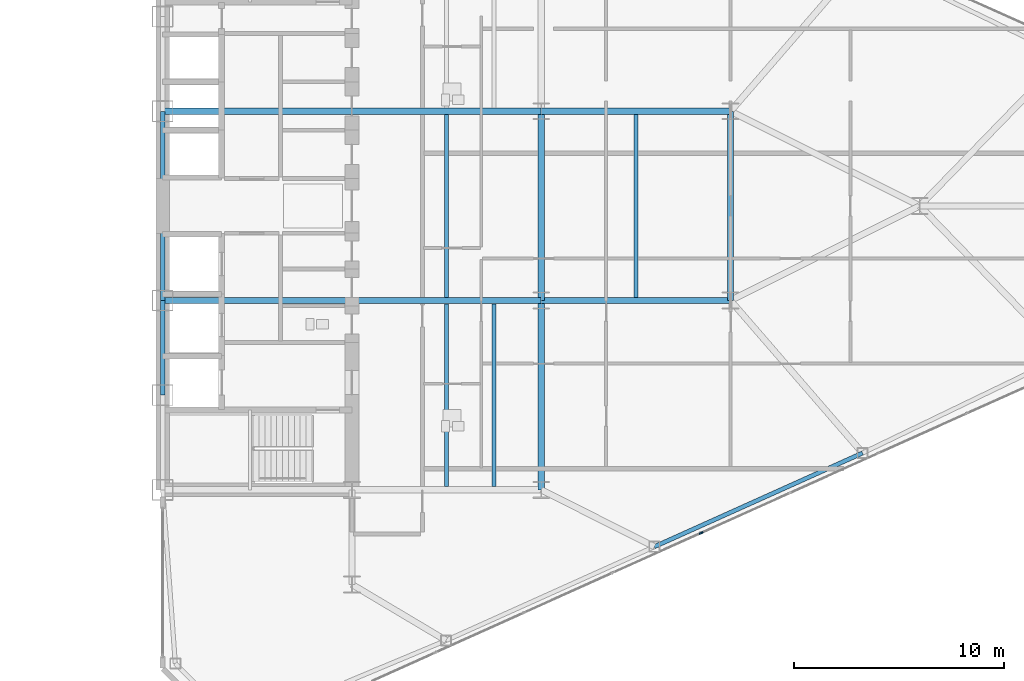
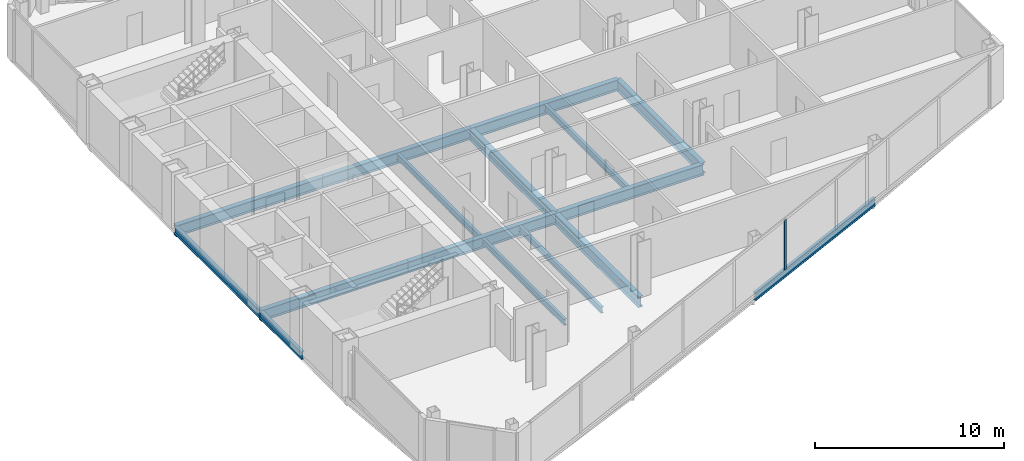
# One storey, part 12 of 27: 16 beams, 1 member, 1 element without a shape of its own.
"""IFC4 building model written with IfcOpenShell, lengths in metres."""

from ifc_helpers import new_model, si_unit, direction, frame, origin, origin_2d, place, context, subcontext, project, spatial, rectangle, i_section, extrude, source, transform, mapped, material, layer, layer_set, material_profile, profile_set, type_object, type_shapes, element, aggregate, save


model = new_model("IFC4")

# Units and contexts
model_context = context("Model", 3, precision=1e-05, world=origin(), true_north=direction((0.0, 1.0)))
body_context = subcontext(model_context, "Body", "Model", "MODEL_VIEW")
ifc_project = project(units=[si_unit("LENGTHUNIT", "METRE"), si_unit("AREAUNIT", "SQUARE_METRE"), si_unit("VOLUMEUNIT", "CUBIC_METRE"), si_unit("PLANEANGLEUNIT", "RADIAN"), si_unit("MASSUNIT", "GRAM", prefix="KILO")], contexts=[model_context])

# Site, building, storey
site_placement = place(None, origin())
site = spatial("IfcSite", under=ifc_project, at=site_placement, CompositionType="ELEMENT")
building_placement = place(site_placement, origin())
building = spatial("IfcBuilding", under=site, at=building_placement, Name="Seokmaru Belvedere", CompositionType="ELEMENT")
storey_placement = place(building_placement, frame((0.0, 0.0, 99.60009765625)))
storey = spatial("IfcBuildingStorey", under=building, at=storey_placement, Name="L26", CompositionType="ELEMENT", Elevation=99.60009765625)

# Beams
ifc_material_1 = material(Name="Steel SM355 (355 MPa)", Category="steel")
ifc_material_profile_1 = material_profile(ifc_material_1, i_section(OverallWidth=0.199951171875, OverallDepth=0.5, WebThickness=0.010009765625, FlangeThickness=0.01611328125, at=origin_2d()), Name="H-500x200x10x16")
ifc_profile_set_1 = profile_set([ifc_material_profile_1], Name="Steel SM355 (355 MPa)")
beam_type_1 = type_object("IfcBeamType", Name="Perimeter Spandrel Beam H-500", PredefinedType="SPANDREL", material=ifc_profile_set_1)
shared_shape_1 = source(origin(), body_context, "Body", "SweptSolid", [
    extrude(i_section(OverallWidth=0.199951171875, OverallDepth=0.5, WebThickness=0.010009765625, FlangeThickness=0.01611328125, at=origin_2d()), origin(), (0.0, 0.0, 1.0), 4.5),
])
beam_1_placement = place(storey_placement, frame((27.5, -9.0, -0.47021484375), z_axis=(0.0, 1.0, 0.0), x_axis=(-1.0, 0.0, 0.0)))
element("IfcBeam", 1, at=beam_1_placement, inside=storey, type_object=beam_type_1, Name="L26 E Portal Spine Spandrel 2", PredefinedType="SPANDREL", context=body_context, shape_type="MappedRepresentation", body=[
    mapped(shared_shape_1, transform((0.0, 0.0, 0.0), scale=1.0)),
])
shared_shape_2 = source(origin(), body_context, "Body", "SweptSolid", [
    extrude(i_section(OverallWidth=0.199951171875, OverallDepth=0.5, WebThickness=0.010009765625, FlangeThickness=0.01611328125, at=origin_2d()), origin(), (0.0, 0.0, 1.0), 9.0),
])
beam_2_placement = place(storey_placement, frame((27.5, -4.5, -0.47021484375), z_axis=(0.0, 1.0, 0.0), x_axis=(-1.0, 0.0, 0.0)))
element("IfcBeam", 2, at=beam_2_placement, inside=storey, type_object=beam_type_1, Name="L26 E Portal Spine Spandrel 3", PredefinedType="SPANDREL", context=body_context, shape_type="MappedRepresentation", body=[
    mapped(shared_shape_2, transform((0.0, 0.0, 0.0), scale=1.0)),
])
ifc_material_profile_2 = material_profile(ifc_material_1, i_section(OverallWidth=0.300048828125, OverallDepth=0.699951171875, WebThickness=0.012939453125, FlangeThickness=0.02392578125, at=origin_2d()), Name="H-700x300x13x24")
ifc_profile_set_2 = profile_set([ifc_material_profile_2], Name="Steel SM355 (355 MPa)")
beam_type_2 = type_object("IfcBeamType", Name="Primary Floor Girder H-700", PredefinedType="BEAM", material=ifc_profile_set_2)
shared_shape_3 = source(origin(), body_context, "Body", "SweptSolid", [
    extrude(i_section(OverallWidth=0.300048828125, OverallDepth=0.699951171875, WebThickness=0.012939453125, FlangeThickness=0.02392578125, at=origin_2d()), origin(), (0.0, 0.0, 1.0), 9.0),
])
type_shapes(beam_type_2, [shared_shape_3])
for number, where, z_axis, x_axis, name in (
    (3, (45.5, -13.5, -0.570068359375), (0.0, 1.0, 0.0), (-1.0, 0.0, 0.0), "L26 E Interior Grid Girder 1"),
    (4, (45.5, -4.5, -0.570068359375), (0.0, 1.0, 0.0), (-1.0, 0.0, 0.0), "L26 E Interior Grid Girder 2"),
    (5, (27.5, -4.5, -0.570068359375), (1.0, 0.0, 0.0), (0.0, 1.0, 0.0), "L26 E Core Tie Girder 2"),
    (6, (36.5, -4.5, -0.570068359375), (1.0, 0.0, 0.0), (0.0, 1.0, 0.0), "L26 E Wing Primary Girder 2"),
    (7, (27.5, 4.5, -0.570068359375), (1.0, 0.0, 0.0), (0.0, 1.0, 0.0), "L26 E Core Tie Girder 3"),
    (8, (36.5, 4.5, -0.570068359375), (1.0, 0.0, 0.0), (0.0, 1.0, 0.0), "L26 E Wing Primary Girder 3"),
    (9, (45.5, -4.5, -0.570068359375), (1.0, 0.0, 0.0), (0.0, 1.0, 0.0), "L26 E Outer Wing Girder 1"),
    (10, (45.5, 4.5, -0.570068359375), (1.0, 0.0, 0.0), (0.0, 1.0, 0.0), "L26 E Outer Wing Girder 2"),
    (11, (54.5, -4.5, -0.570068359375), (0.0, 1.0, 0.0), (-1.0, 0.0, 0.0), "L26 E Apex Frame Girder"),
):
    element("IfcBeam", number, at=place(storey_placement, frame(where, z_axis=z_axis, x_axis=x_axis)), inside=storey, type_object=beam_type_2, Name=name, PredefinedType="BEAM", context=body_context, shape_type="MappedRepresentation", body=[
        mapped(shared_shape_3, transform((0.0, 0.0, 0.0), scale=1.0)),
    ])
ifc_material_profile_3 = material_profile(ifc_material_1, i_section(OverallWidth=0.18505859375, OverallDepth=0.389892578125, WebThickness=0.008056640625, FlangeThickness=0.011962890625, at=origin_2d()), Name="H-390x185x8x12")
ifc_profile_set_3 = profile_set([ifc_material_profile_3], Name="Steel SM355 (355 MPa)")
beam_type_3 = type_object("IfcBeamType", Name="Secondary Floor Joist H-350", PredefinedType="JOIST", material=ifc_profile_set_3)
shared_shape_4 = source(origin(), body_context, "Body", "SweptSolid", [
    extrude(i_section(OverallWidth=0.18505859375, OverallDepth=0.389892578125, WebThickness=0.008056640625, FlangeThickness=0.011962890625, at=origin_2d()), origin(), (0.0, 0.0, 1.0), 8.68994140625),
])
type_shapes(beam_type_3, [shared_shape_4])
for number, where, z_axis, x_axis, name in (
    (12, (43.25, -13.344970703125, -0.4150390625), (0.0, 1.0, 0.0), (-1.0, 0.0, 0.0), "L26 E Wing Inner Secondary Joist 1"),
    (13, (41.0, -13.344970703125, -0.4150390625), (0.0, 1.0, 0.0), (-1.0, 0.0, 0.0), "L26 E Secondary Floor Joist 1"),
    (14, (41.0, -4.344970703125, -0.4150390625), (0.0, 1.0, 0.0), (-1.0, 0.0, 0.0), "L26 E Secondary Floor Joist 2"),
    (15, (50.0, -4.344970703125, -0.4150390625), (0.0, 1.0, 0.0), (-1.0, 0.0, 0.0), "L26 E Outer Bay Secondary Joist"),
):
    element("IfcBeam", number, at=place(storey_placement, frame(where, z_axis=z_axis, x_axis=x_axis)), inside=storey, type_object=beam_type_3, Name=name, PredefinedType="JOIST", context=body_context, shape_type="MappedRepresentation", body=[
        mapped(shared_shape_4, transform((0.0, 0.0, 0.0), scale=1.0)),
    ])
shared_shape_5 = source(origin(), body_context, "Body", "SweptSolid", [
    extrude(i_section(OverallWidth=0.199951171875, OverallDepth=0.5, WebThickness=0.010009765625, FlangeThickness=0.01611328125, at=origin_2d()), origin(), (0.0, 0.0, 1.0), 10.85888671875),
])
type_shapes(beam_type_1, [shared_shape_1, shared_shape_2, shared_shape_5])
beam_3_placement = place(storey_placement, frame((50.875, -16.205322265625, -0.47021484375), z_axis=(0.911925291223, 0.410356263785, 0.0), x_axis=(-0.410356263785, 0.911925291223, 0.0)))
element("IfcBeam", 16, at=beam_3_placement, inside=storey, type_object=beam_type_1, Name="L26 E Faceted Flank Spandrel S-3", PredefinedType="SPANDREL", context=body_context, shape_type="MappedRepresentation", body=[
    mapped(shared_shape_5, transform((0.0, 0.0, 0.0), scale=1.0)),
])

# Curtain wall, member
ifc_material_2 = material(Name="Bronze Triple Insulating Glass", Category="glass")
ifc_layer = layer(ifc_material_2, 0.195068359375)
ifc_layer_set = layer_set([ifc_layer], Name="Bronze Triple Insulating Glass")
curtain_wall_type = type_object("IfcCurtainWallType", Name="Lower-Mid Tapered Curtain Wall System CW-3", PredefinedType="NOTDEFINED", material=ifc_layer_set)
curtain_wall_placement = place(storey_placement, origin())
curtain_wall = element("IfcCurtainWall", 17, at=curtain_wall_placement, inside=storey, type_object=curtain_wall_type, Name="L26 Curtain Wall EF1", PredefinedType="NOTDEFINED")
ifc_material_3 = material(Name="Anodised Bronze Aluminium", Category="aluminium")
ifc_material_profile_4 = material_profile(ifc_material_3, rectangle(XDim=0.070068359375, YDim=0.195068359375, at=origin_2d()), Name="CW-M-70x195")
ifc_profile_set_4 = profile_set([ifc_material_profile_4], Name="Anodised Bronze Aluminium")
member_type = type_object("IfcMemberType", Name="Bronze Unitised Mullion 70x195", PredefinedType="MULLION", material=ifc_profile_set_4)
shared_shape_6 = source(origin(), body_context, "Body", "SweptSolid", [
    extrude(rectangle(XDim=0.070068359375, YDim=0.195068359375, at=origin_2d()), origin(), (0.0, 0.0, 1.0), 3.239990234375),
])
type_shapes(member_type, [shared_shape_6])
member_placement = place(storey_placement, frame((53.105712890625, -15.552490234375, 0.06982421875), z_axis=(0.0, 0.0, 1.0), x_axis=(-0.41036554765, 0.91192111353, 0.0)))
member = element("IfcMember", 18, at=member_placement, type_object=member_type, Name="CW:L26:EF1 Mullion 6", PredefinedType="MULLION", context=body_context, shape_type="MappedRepresentation", body=[
    mapped(shared_shape_6, transform((0.0, 0.0, 0.0), scale=1.0)),
])
aggregate(curtain_wall, [member])

save(model, "model.ifc")
